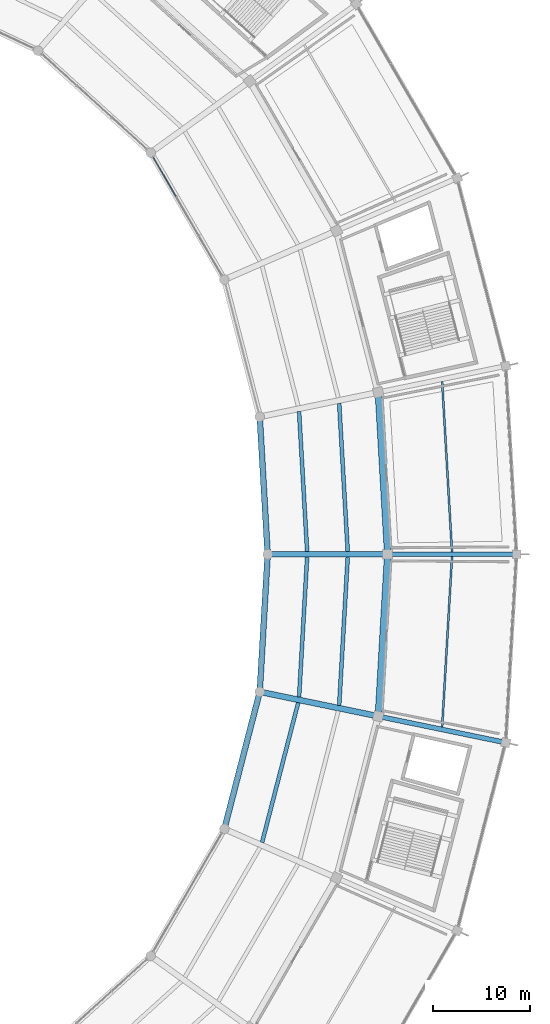
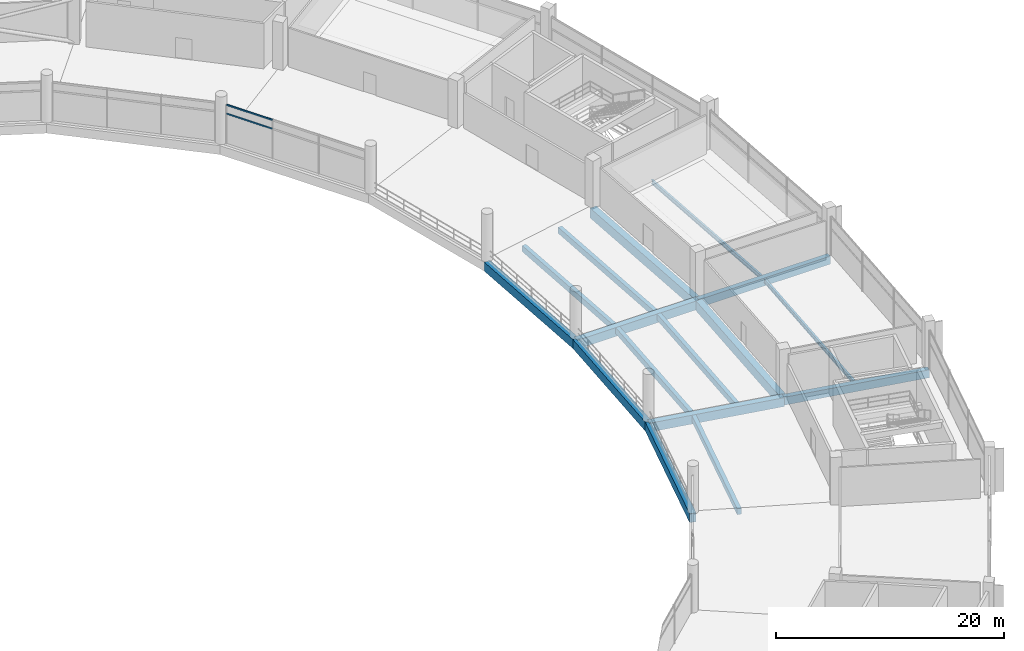
# One storey, part 79 of 184: 16 beams, 2 members, 1 element without a shape of its own.
"""IFC4 building model written with IfcOpenShell, lengths in metres."""

from ifc_helpers import new_model, si_unit, direction, frame, origin, origin_2d, place, context, subcontext, project, spatial, rectangle, hollow_rectangle, i_section, extrude, material, layer, layer_set, material_profile, profile_set, type_object, element, aggregate, save


model = new_model("IFC4")

# Units and contexts
model_context = context("Model", 3, precision=1e-05, world=origin(), true_north=direction((0.0, 1.0)))
body_context = subcontext(model_context, "Body", "Model", "MODEL_VIEW")
ifc_project = project(units=[si_unit("LENGTHUNIT", "METRE"), si_unit("AREAUNIT", "SQUARE_METRE"), si_unit("VOLUMEUNIT", "CUBIC_METRE"), si_unit("PLANEANGLEUNIT", "RADIAN"), si_unit("MASSUNIT", "GRAM", prefix="KILO")], contexts=[model_context])

# Site, building, storey
site_placement = place(None, origin())
site = spatial("IfcSite", under=ifc_project, at=site_placement, CompositionType="ELEMENT")
building_placement = place(site_placement, origin())
building = spatial("IfcBuilding", under=site, at=building_placement, Name="Kazemori Nagisa Stadium", CompositionType="ELEMENT")
storey_placement = place(building_placement, frame((0.0, 0.0, 10.5400390625)))
storey = spatial("IfcBuildingStorey", under=building, at=storey_placement, Name="L02", CompositionType="ELEMENT", Elevation=10.5400390625)

# Beams
ifc_material_1 = material(Name="Concrete C40/50 (Fc42)", Category="concrete")
ifc_material_profile_1 = material_profile(ifc_material_1, rectangle(XDim=0.5, YDim=0.85009765625, at=origin_2d()), Name="RC-BM-500x850")
ifc_profile_set_1 = profile_set([ifc_material_profile_1], Name="Concrete C40/50 (Fc42)")
beam_type_1 = type_object("IfcBeamType", Name="Beam_BG-RC500X850", PredefinedType="BEAM", material=ifc_profile_set_1)
beam_1_placement = place(storey_placement, frame((204.699951171875, 102.0, -0.68505859375), z_axis=(1.0, 0.0, 0.0), x_axis=(0.0, 1.0, 0.0)))
element("IfcBeam", 1, at=beam_1_placement, inside=storey, type_object=beam_type_1, Name="Radial girder BG-RC500X850 L02 R2-R3-01", PredefinedType="BEAM", context=body_context, shape_type="SweptSolid", body=[
    extrude(rectangle(XDim=0.5, YDim=0.85009765625, at=origin_2d()), origin(), (0.0, 0.0, 1.0), 13.300048828125),
])
beam_2_placement = place(storey_placement, frame((203.737548828125, 85.31787109375, -0.68505859375), z_axis=(0.979315516463, -0.202339119339, 0.0), x_axis=(0.202339119339, 0.979315516463, 0.0)))
element("IfcBeam", 2, at=beam_2_placement, inside=storey, type_object=beam_type_1, Name="Radial girder BG-RC500X850 L02 R2-R3-28", PredefinedType="BEAM", context=body_context, shape_type="SweptSolid", body=[
    extrude(rectangle(XDim=0.5, YDim=0.85009765625, at=origin_2d()), origin(), (0.0, 0.0, 1.0), 13.4208984375),
])
ifc_material_profile_2 = material_profile(ifc_material_1, rectangle(XDim=0.60009765625, YDim=0.949951171875, at=origin_2d()), Name="RC-BM-600x950")
ifc_profile_set_2 = profile_set([ifc_material_profile_2], Name="Concrete C40/50 (Fc42)")
beam_type_2 = type_object("IfcBeamType", Name="Beam_BG-RC600X950", PredefinedType="BEAM", material=ifc_profile_set_2)
beam_3_placement = place(storey_placement, frame((192.35009765625, 102.0, -0.735107421875), z_axis=(-0.057610061423, 0.998339161219, 0.0), x_axis=(-0.998339161219, -0.057610061423, 0.0)))
element("IfcBeam", 3, at=beam_3_placement, inside=storey, type_object=beam_type_2, Name="Ring girder BG-RC600X950 L02 R1-01", PredefinedType="BEAM", context=body_context, shape_type="SweptSolid", body=[
    extrude(rectangle(XDim=0.60009765625, YDim=0.949951171875, at=origin_2d()), origin(), (0.0, 0.0, 1.0), 14.183837890625),
])
beam_4_placement = place(storey_placement, frame((187.885986328125, 73.712890625, -0.735107421875), z_axis=(0.249966077383, 0.9682545947, 0.0), x_axis=(-0.9682545947, 0.249966077383, 0.0)))
element("IfcBeam", 4, at=beam_4_placement, inside=storey, type_object=beam_type_2, Name="Ring girder BG-RC600X950 L02 R1-27", PredefinedType="BEAM", context=body_context, shape_type="SweptSolid", body=[
    extrude(rectangle(XDim=0.60009765625, YDim=0.949951171875, at=origin_2d()), origin(), (0.0, 0.0, 1.0), 14.58984375),
])
beam_5_placement = place(storey_placement, frame((191.532958984375, 87.839599609375, -0.735107421875), z_axis=(0.057610061423, 0.998339161219, 0.0), x_axis=(-0.998339161219, 0.057610061423, 0.0)))
element("IfcBeam", 5, at=beam_5_placement, inside=storey, type_object=beam_type_2, Name="Ring girder BG-RC600X950 L02 R1-28", PredefinedType="BEAM", context=body_context, shape_type="SweptSolid", body=[
    extrude(rectangle(XDim=0.60009765625, YDim=0.949951171875, at=origin_2d()), origin(), (0.0, 0.0, 1.0), 14.183837890625),
])
beam_6_placement = place(storey_placement, frame((192.35009765625, 102.0, -0.735107421875), z_axis=(1.0, 0.0, 0.0), x_axis=(0.0, 1.0, 0.0)))
element("IfcBeam", 6, at=beam_6_placement, inside=storey, type_object=beam_type_2, Name="Radial girder BG-RC600X950 L02 R1-R2-01", PredefinedType="BEAM", context=body_context, shape_type="SweptSolid", body=[
    extrude(rectangle(XDim=0.60009765625, YDim=0.949951171875, at=origin_2d()), origin(), (0.0, 0.0, 1.0), 12.349853515625),
])
beam_7_placement = place(storey_placement, frame((191.532958984375, 87.839599609375, -0.735107421875), z_axis=(0.979313861938, -0.202347127025, 0.0), x_axis=(0.202347127025, 0.979313861938, 0.0)))
element("IfcBeam", 7, at=beam_7_placement, inside=storey, type_object=beam_type_2, Name="Radial girder BG-RC600X950 L02 R1-R2-28", PredefinedType="BEAM", context=body_context, shape_type="SweptSolid", body=[
    extrude(rectangle(XDim=0.60009765625, YDim=0.949951171875, at=origin_2d()), origin(), (0.0, 0.0, 1.0), 12.46240234375),
])
ifc_material_profile_3 = material_profile(ifc_material_1, rectangle(XDim=0.64990234375, YDim=1.050048828125, at=origin_2d()), Name="RC-BM-650x1050")
ifc_profile_set_3 = profile_set([ifc_material_profile_3], Name="Concrete C40/50 (Fc42)")
beam_type_3 = type_object("IfcBeamType", Name="Beam_BG-RC650X1050", PredefinedType="BEAM", material=ifc_profile_set_3)
for number, where, z_axis, x_axis, name in (
    (8, (204.699951171875, 102.0, -0.78515625), (-0.057594854854, 0.998340038611, 0.0), (-0.998340038611, -0.057594854854, 0.0), "Ring girder BG-RC650X1050 L02 R2-01"),
    (9, (203.737548828125, 85.31787109375, -0.78515625), (0.057594854854, 0.998340038611, 0.0), (-0.998340038611, 0.057594854854, 0.0), "Ring girder BG-RC650X1050 L02 R2-28"),
):
    element("IfcBeam", number, at=place(storey_placement, frame(where, z_axis=z_axis, x_axis=x_axis)), inside=storey, type_object=beam_type_3, Name=name, PredefinedType="BEAM", context=body_context, shape_type="SweptSolid", body=[
        extrude(rectangle(XDim=0.64990234375, YDim=1.050048828125, at=origin_2d()), origin(), (0.0, 0.0, 1.0), 16.7099609375),
    ])
ifc_material_2 = material(Name="Steel SN490B", Category="steel")
ifc_material_profile_4 = material_profile(ifc_material_2, i_section(OverallWidth=0.199951171875, OverallDepth=0.449951171875, WebThickness=0.009033203125, FlangeThickness=0.013916015625, FilletRadius=0.012939453125, at=origin_2d()), Name="H-450x200x9x14")
ifc_profile_set_4 = profile_set([ifc_material_profile_4], Name="Steel SN490B")
beam_type_4 = type_object("IfcBeamType", Name="Beam_BJ-H450", PredefinedType="JOIST", material=ifc_profile_set_4)
for number, where, z_axis, x_axis, name in (
    (10, (211.3359375, 102.24462890625, -0.485107421875), (-0.057605851522, 0.998339404146, 0.0), (-0.998339404146, -0.057605851522, 0.0), "Outer bay joist BJ-H450 L02 B01"),
    (11, (210.3232421875, 84.204833984375, -0.485107421875), (0.057605851522, 0.998339404146, 0.0), (-0.998339404146, 0.057605851522, 0.0), "Outer bay joist BJ-H450 L02 B28"),
):
    element("IfcBeam", number, at=place(storey_placement, frame(where, z_axis=z_axis, x_axis=x_axis)), inside=storey, type_object=beam_type_4, Name=name, PredefinedType="JOIST", context=body_context, shape_type="SweptSolid", body=[
        extrude(i_section(OverallWidth=0.199951171875, OverallDepth=0.449951171875, WebThickness=0.009033203125, FlangeThickness=0.013916015625, FilletRadius=0.012939453125, at=origin_2d()), origin(), (0.0, 0.0, 1.0), 17.579833984375),
    ])
ifc_material_profile_5 = material_profile(ifc_material_1, rectangle(XDim=0.39990234375, YDim=0.64990234375, at=origin_2d()), Name="RC-BM-400x650")
ifc_profile_set_5 = profile_set([ifc_material_profile_5], Name="Concrete C40/50 (Fc42)")
beam_type_5 = type_object("IfcBeamType", Name="Beam_BJ-RC400X650", PredefinedType="JOIST", material=ifc_profile_set_5)
beam_8_placement = place(storey_placement, frame((196.41796875, 102.29443359375, -0.5849609375), z_axis=(-0.057594265016, 0.998340072639, 0.0), x_axis=(-0.998340072639, -0.057594265016, 0.0)))
element("IfcBeam", 12, at=beam_8_placement, inside=storey, type_object=beam_type_5, Name="Concourse joist BJ-RC400X650 L02 B01-1", PredefinedType="JOIST", context=body_context, shape_type="SweptSolid", body=[
    extrude(rectangle(XDim=0.39990234375, YDim=0.64990234375, at=origin_2d()), origin(), (0.0, 0.0, 1.0), 14.429443359375),
])
beam_9_placement = place(storey_placement, frame((200.597900390625, 102.29443359375, -0.5849609375), z_axis=(-0.057599290514, 0.998339782705, 0.0), x_axis=(-0.998339782705, -0.057599290514, 0.0)))
element("IfcBeam", 13, at=beam_9_placement, inside=storey, type_object=beam_type_5, Name="Concourse joist BJ-RC400X650 L02 B01-2", PredefinedType="JOIST", context=body_context, shape_type="SweptSolid", body=[
    extrude(rectangle(XDim=0.39990234375, YDim=0.64990234375, at=origin_2d()), origin(), (0.0, 0.0, 1.0), 15.284423828125),
])
beam_10_placement = place(storey_placement, frame((191.78173828125, 72.332275390625, -0.5849609375), z_axis=(0.24996646764, 0.968254493951, 0.0), x_axis=(-0.968254493951, 0.24996646764, 0.0)))
element("IfcBeam", 14, at=beam_10_placement, inside=storey, type_object=beam_type_5, Name="Concourse joist BJ-RC400X650 L02 B27-1", PredefinedType="JOIST", context=body_context, shape_type="SweptSolid", body=[
    extrude(rectangle(XDim=0.39990234375, YDim=0.64990234375, at=origin_2d()), origin(), (0.0, 0.0, 1.0), 14.859375),
])
beam_11_placement = place(storey_placement, frame((195.5869140625, 87.300048828125, -0.5849609375), z_axis=(0.057594265016, 0.998340072639, 0.0), x_axis=(-0.998340072639, 0.057594265016, 0.0)))
element("IfcBeam", 15, at=beam_11_placement, inside=storey, type_object=beam_type_5, Name="Concourse joist BJ-RC400X650 L02 B28-1", PredefinedType="JOIST", context=body_context, shape_type="SweptSolid", body=[
    extrude(rectangle(XDim=0.39990234375, YDim=0.64990234375, at=origin_2d()), origin(), (0.0, 0.0, 1.0), 14.429443359375),
])
beam_12_placement = place(storey_placement, frame((199.717529296875, 86.446533203125, -0.5849609375), z_axis=(0.057599290514, 0.998339782705, 0.0), x_axis=(-0.998339782705, 0.057599290514, 0.0)))
element("IfcBeam", 16, at=beam_12_placement, inside=storey, type_object=beam_type_5, Name="Concourse joist BJ-RC400X650 L02 B28-2", PredefinedType="JOIST", context=body_context, shape_type="SweptSolid", body=[
    extrude(rectangle(XDim=0.39990234375, YDim=0.64990234375, at=origin_2d()), origin(), (0.0, 0.0, 1.0), 15.284423828125),
])

# Curtain wall, members
ifc_material_3 = material(Name="Anodised aluminium 6063-T5", Category="aluminium")
ifc_layer = layer(ifc_material_3, 0.2099609375, Name="Anodised aluminium 6063-T5", Category="aluminium")
ifc_layer_set = layer_set([ifc_layer], Name="Anodised aluminium 6063-T5")
curtain_wall_type = type_object("IfcCurtainWallType", Name="CW_L02B_71", PredefinedType="USERDEFINED", material=ifc_layer_set)
curtain_wall_placement = place(storey_placement, origin())
curtain_wall = element("IfcCurtainWall", 17, at=curtain_wall_placement, inside=storey, type_object=curtain_wall_type, Name="Unitised curtain wall CW-L02B-71 L02", ObjectType="UNITISED CURTAIN WALL", PredefinedType="USERDEFINED")
ifc_material_4 = material(Name="Aluminium 6063-T5 anodised", Category="aluminium")
ifc_material_profile_6 = material_profile(ifc_material_4, hollow_rectangle(XDim=0.080078125, YDim=0.159912109375, WallThickness=0.00390625, at=origin_2d()), Name="ALU-TRAN-80x160x4")
ifc_profile_set_6 = profile_set([ifc_material_profile_6], Name="Aluminium 6063-T5 anodised")
member_type = type_object("IfcMemberType", Name="Transom_T02", PredefinedType="USERDEFINED", material=ifc_profile_set_6)
member_1_placement = place(storey_placement, frame((182.9091796875, 138.870361328125, 3.184326171875), z_axis=(-0.501610282552, 0.865093708472, 0.0), x_axis=(-0.865093708472, -0.501610282552, 0.0)))
member_1 = element("IfcMember", 18, at=member_1_placement, type_object=member_type, Name="Curtain wall transom CW-L02B-71-T3-mid", ObjectType="TRANSOM", PredefinedType="USERDEFINED", context=body_context, shape_type="SweptSolid", body=[
    extrude(hollow_rectangle(XDim=0.080078125, YDim=0.159912109375, WallThickness=0.00390625, at=origin_2d()), origin(), (0.0, 0.0, 1.0), 4.643310546875),
])
member_2_placement = place(storey_placement, frame((182.9091796875, 138.870361328125, 4.119873046875), z_axis=(-0.501610282552, 0.865093708472, 0.0), x_axis=(-0.865093708472, -0.501610282552, 0.0)))
member_2 = element("IfcMember", 19, at=member_2_placement, type_object=member_type, Name="Curtain wall transom CW-L02B-71-T3-head", ObjectType="TRANSOM", PredefinedType="USERDEFINED", context=body_context, shape_type="SweptSolid", body=[
    extrude(hollow_rectangle(XDim=0.080078125, YDim=0.159912109375, WallThickness=0.00390625, at=origin_2d()), origin(), (0.0, 0.0, 1.0), 4.643310546875),
])
aggregate(curtain_wall, [member_1, member_2])

save(model, "model.ifc")
